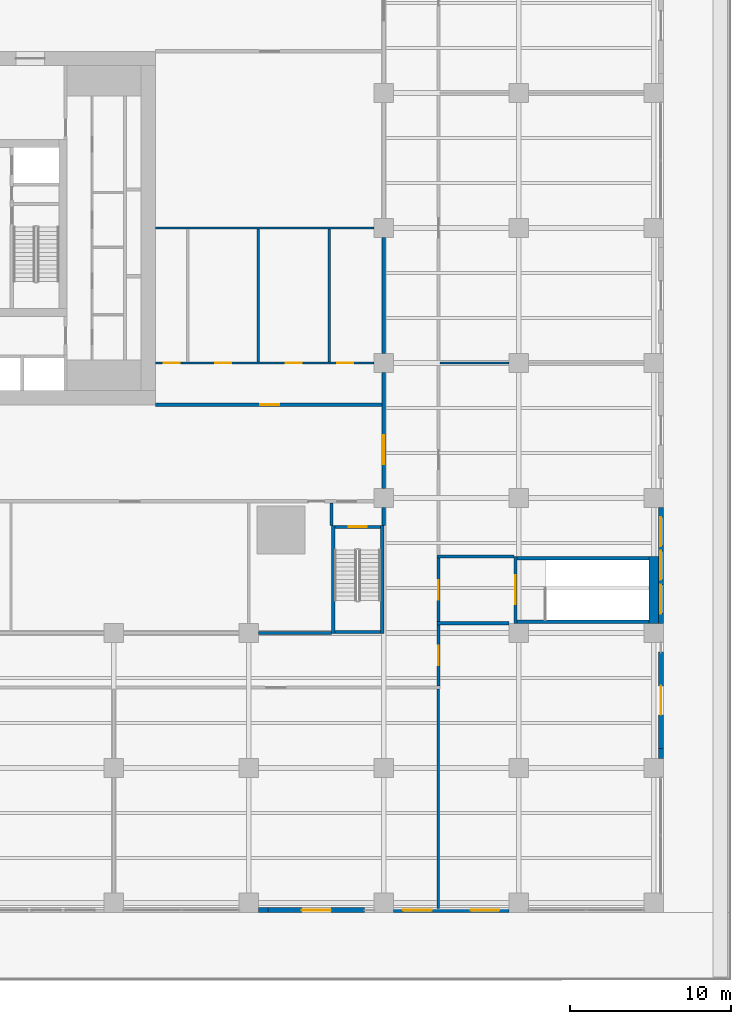
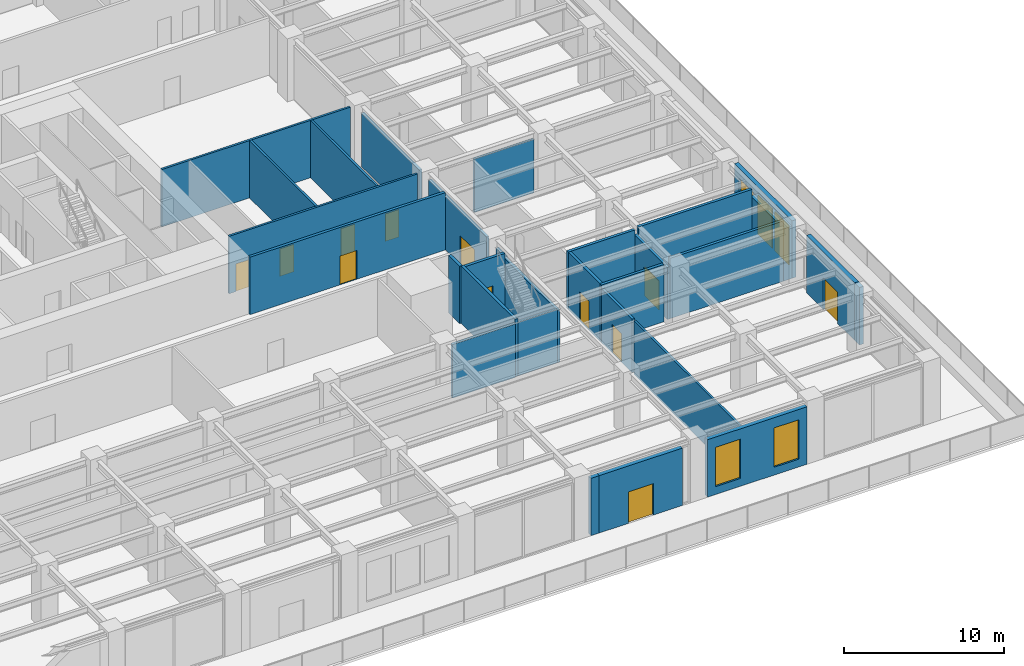
# One storey, part 41 of 53: 30 walls, 12 doors, 5 windows, 17 openings.
"""IFC4 building model written with IfcOpenShell, lengths in metres."""

from ifc_helpers import new_model, si_unit, direction, frame, frame_2d, origin, place, context, subcontext, project, spatial, rectangle, extrude, material, layer, layer_set, type_object, element, fill, save


model = new_model("IFC4")

# Units and contexts
model_context = context("Model", 3, precision=1e-05, world=origin(), true_north=direction((0.0, 1.0)))
body_context = subcontext(model_context, "Body", "Model", "MODEL_VIEW")
ifc_project = project(units=[si_unit("LENGTHUNIT", "METRE"), si_unit("AREAUNIT", "SQUARE_METRE"), si_unit("VOLUMEUNIT", "CUBIC_METRE"), si_unit("PLANEANGLEUNIT", "RADIAN"), si_unit("MASSUNIT", "GRAM", prefix="KILO")], contexts=[model_context])

# Site, building, storey
site_placement = place(None, origin())
site = spatial("IfcSite", under=ifc_project, at=site_placement, CompositionType="ELEMENT")
building_placement = place(site_placement, origin())
building = spatial("IfcBuilding", under=site, at=building_placement, Name="Khepri Terraces", CompositionType="ELEMENT")
storey_placement = place(building_placement, frame((0.0, 0.0, 7.199951171875)))
storey = spatial("IfcBuildingStorey", under=building, at=storey_placement, Name="L01", CompositionType="ELEMENT", Elevation=7.199951171875)

# Wall
ifc_material_1 = material(Name="Precast concrete C50/60 warm stone", Category="masonry")
ifc_layer_1 = layer(ifc_material_1, 0.300048828125, Name="Precast concrete C50/60 warm stone", Category="masonry")
ifc_layer_set_1 = layer_set([ifc_layer_1], Name="Precast concrete C50/60 warm stone")
wall_type_1 = type_object("IfcWallType", Name="WL-EXT-PRECAST-300", PredefinedType="STANDARD", material=ifc_layer_set_1)
wall_1_placement = place(storey_placement, frame((17.39990234375, -42.449951171875, 0.0), z_axis=(0.0, 0.0, 1.0), x_axis=(1.0, 0.0, 0.0)))
element("IfcWall", 1, at=wall_1_placement, inside=storey, type_object=wall_type_1, Name="External wall L01 S", PredefinedType="STANDARD", context=body_context, shape_type="SweptSolid", body=[
    extrude(rectangle(XDim=0.60009765625, YDim=0.300048828125, at=frame_2d((0.300048828125, 0.0))), origin(), (0.0, 0.0, 1.0), 4.380126953125),
])

# Wall, opening, door
wall_2_placement = place(storey_placement, frame((18.0, -42.449951171875, 0.0), z_axis=(0.0, 0.0, 1.0), x_axis=(1.0, 0.0, 0.0)))
wall_2 = element("IfcWall", 2, at=wall_2_placement, inside=storey, type_object=wall_type_1, Name="External wall L01 S", PredefinedType="STANDARD", context=body_context, shape_type="SweptSolid", body=[
    extrude(rectangle(XDim=6.0, YDim=0.300048828125, at=frame_2d((3.0, 0.0))), origin(), (0.0, 0.0, 1.0), 4.380126953125),
])
opening_1_placement = place(wall_2_placement, frame((2.10009765625, 0.0, 0.0)))
opening_1 = element("IfcOpeningElement", 3, at=opening_1_placement, cuts=wall_2, Name="Opening ED-L01-03", PredefinedType="OPENING", context=body_context, shape_type="SweptSolid", body=[
    extrude(rectangle(XDim=1.800048828125, YDim=2.39990234375, at=frame_2d((0.89990234375, 1.199951171875))), frame((0.0, 0.16015625, 0.0), z_axis=(0.0, -1.0, 0.0), x_axis=(1.0, 0.0, 0.0)), (0.0, 0.0, 1.0), 0.320068359375),
])
ifc_material_2 = material(Name="Anodised aluminium bronze glazed door", Category="aluminium")
door_type_1 = type_object("IfcDoorType", Name="DR-BAL-SLIDE-1800x2400", OperationType="NOTDEFINED", PredefinedType="DOOR", material=ifc_material_2)
door_1_placement = place(opening_1_placement, origin())
door_1 = element("IfcDoor", 4, at=door_1_placement, inside=storey, type_object=door_type_1, Name="Balcony door L01 S", OperationType="SLIDING_TO_LEFT", OverallHeight=2.39990234375, OverallWidth=1.800048828125, PredefinedType="DOOR", context=body_context, shape_type="SweptSolid", body=[
    extrude(rectangle(XDim=1.800048828125, YDim=2.39990234375, at=frame_2d((0.89990234375, 1.199951171875))), frame((0.0, 0.02490234375, 0.0), z_axis=(0.0, -1.0, 0.0), x_axis=(1.0, 0.0, 0.0)), (0.0, 0.0, 1.0), 0.050048828125),
])
fill(opening_1, door_1)

# Wall, openings, windows
wall_3_placement = place(storey_placement, frame((25.800048828125, -42.449951171875, 0.0), z_axis=(0.0, 0.0, 1.0), x_axis=(1.0, 0.0, 0.0)))
wall_3 = element("IfcWall", 5, at=wall_3_placement, inside=storey, type_object=wall_type_1, Name="External wall L01 S", PredefinedType="STANDARD", context=body_context, shape_type="SweptSolid", body=[
    extrude(rectangle(XDim=7.199951171875, YDim=0.300048828125, at=frame_2d((3.60009765625, 0.0))), origin(), (0.0, 0.0, 1.0), 4.380126953125),
])
opening_2_placement = place(wall_3_placement, frame((0.60009765625, 0.0, 0.60009765625)))
opening_2 = element("IfcOpeningElement", 6, at=opening_2_placement, cuts=wall_3, Name="Opening WP1", PredefinedType="OPENING", context=body_context, shape_type="SweptSolid", body=[
    extrude(rectangle(XDim=1.800048828125, YDim=3.0, at=frame_2d((0.89990234375, 1.5))), frame((0.0, 0.16015625, 0.0), z_axis=(0.0, -1.0, 0.0), x_axis=(1.0, 0.0, 0.0)), (0.0, 0.0, 1.0), 0.320068359375),
])
opening_3_placement = place(wall_3_placement, frame((4.800048828125, 0.0, 0.60009765625)))
opening_3 = element("IfcOpeningElement", 7, at=opening_3_placement, cuts=wall_3, Name="Opening WP1", PredefinedType="OPENING", context=body_context, shape_type="SweptSolid", body=[
    extrude(rectangle(XDim=1.800048828125, YDim=3.0, at=frame_2d((0.89990234375, 1.5))), frame((0.0, 0.16015625, 0.0), z_axis=(0.0, -1.0, 0.0), x_axis=(1.0, 0.0, 0.0)), (0.0, 0.0, 1.0), 0.320068359375),
])
ifc_material_3 = material(Name="Clear glass", Category="glass")
window_type = type_object("IfcWindowType", Name="WIN-POD-1800x3000", PartitioningType="SINGLE_PANEL", PredefinedType="WINDOW", material=ifc_material_3)
window_1_placement = place(opening_2_placement, origin())
window_1 = element("IfcWindow", 8, at=window_1_placement, inside=storey, type_object=window_type, Name="Window L01 S", OverallHeight=3.0, OverallWidth=1.800048828125, PartitioningType="SINGLE_PANEL", PredefinedType="WINDOW", context=body_context, shape_type="SweptSolid", body=[
    extrude(rectangle(XDim=1.800048828125, YDim=3.0, at=frame_2d((0.89990234375, 1.5))), frame((0.0, 0.030029296875, 0.0), z_axis=(0.0, -1.0, 0.0), x_axis=(1.0, 0.0, 0.0)), (0.0, 0.0, 1.0), 0.06005859375),
])
fill(opening_2, window_1)
window_2_placement = place(opening_3_placement, origin())
window_2 = element("IfcWindow", 9, at=window_2_placement, inside=storey, type_object=window_type, Name="Window L01 S", OverallHeight=3.0, OverallWidth=1.800048828125, PartitioningType="SINGLE_PANEL", PredefinedType="WINDOW", context=body_context, shape_type="SweptSolid", body=[
    extrude(rectangle(XDim=1.800048828125, YDim=3.0, at=frame_2d((0.89990234375, 1.5))), frame((0.0, 0.030029296875, 0.0), z_axis=(0.0, -1.0, 0.0), x_axis=(1.0, 0.0, 0.0)), (0.0, 0.0, 1.0), 0.06005859375),
])
fill(opening_3, window_2)

# Wall
wall_4_placement = place(storey_placement, frame((42.449951171875, -33.0, 0.0), z_axis=(0.0, 0.0, 1.0), x_axis=(0.0, 1.0, 0.0)))
element("IfcWall", 10, at=wall_4_placement, inside=storey, type_object=wall_type_1, Name="External wall L01 E", PredefinedType="STANDARD", context=body_context, shape_type="SweptSolid", body=[
    extrude(rectangle(XDim=0.60009765625, YDim=0.300048828125, at=frame_2d((0.300048828125, 0.0))), origin(), (0.0, 0.0, 1.0), 4.380126953125),
])

# Wall, opening, door
wall_5_placement = place(storey_placement, frame((42.449951171875, -32.39990234375, 0.0), z_axis=(0.0, 0.0, 1.0), x_axis=(0.0, 1.0, 0.0)))
wall_5 = element("IfcWall", 11, at=wall_5_placement, inside=storey, type_object=wall_type_1, Name="External wall L01 E", PredefinedType="STANDARD", context=body_context, shape_type="SweptSolid", body=[
    extrude(rectangle(XDim=6.0, YDim=0.300048828125, at=frame_2d((3.0, 0.0))), origin(), (0.0, 0.0, 1.0), 4.380126953125),
])
opening_4_placement = place(wall_5_placement, frame((2.10009765625, 0.0, 0.0)))
opening_4 = element("IfcOpeningElement", 12, at=opening_4_placement, cuts=wall_5, Name="Opening ED-L01-04", PredefinedType="OPENING", context=body_context, shape_type="SweptSolid", body=[
    extrude(rectangle(XDim=1.800048828125, YDim=2.39990234375, at=frame_2d((0.89990234375, 1.199951171875))), frame((0.0, 0.16015625, 0.0), z_axis=(0.0, -1.0, 0.0), x_axis=(1.0, 0.0, 0.0)), (0.0, 0.0, 1.0), 0.320068359375),
])
door_2_placement = place(opening_4_placement, origin())
door_2 = element("IfcDoor", 13, at=door_2_placement, inside=storey, type_object=door_type_1, Name="Balcony door L01 E", OperationType="SLIDING_TO_LEFT", OverallHeight=2.39990234375, OverallWidth=1.800048828125, PredefinedType="DOOR", context=body_context, shape_type="SweptSolid", body=[
    extrude(rectangle(XDim=1.800048828125, YDim=2.39990234375, at=frame_2d((0.89990234375, 1.199951171875))), frame((0.0, 0.02490234375, 0.0), z_axis=(0.0, -1.0, 0.0), x_axis=(1.0, 0.0, 0.0)), (0.0, 0.0, 1.0), 0.050048828125),
])
fill(opening_4, door_2)

# Wall, openings, windows
wall_6_placement = place(storey_placement, frame((42.449951171875, -24.60009765625, 0.0), z_axis=(0.0, 0.0, 1.0), x_axis=(0.0, 1.0, 0.0)))
wall_6 = element("IfcWall", 14, at=wall_6_placement, inside=storey, type_object=wall_type_1, Name="External wall L01 E", PredefinedType="STANDARD", context=body_context, shape_type="SweptSolid", body=[
    extrude(rectangle(XDim=7.2001953125, YDim=0.300048828125, at=frame_2d((3.60009765625, 0.0))), origin(), (0.0, 0.0, 1.0), 4.380126953125),
])
opening_5_placement = place(wall_6_placement, frame((0.60009765625, 0.0, 0.60009765625)))
opening_5 = element("IfcOpeningElement", 15, at=opening_5_placement, cuts=wall_6, Name="Opening WP1", PredefinedType="OPENING", context=body_context, shape_type="SweptSolid", body=[
    extrude(rectangle(XDim=1.800048828125, YDim=3.0, at=frame_2d((0.89990234375, 1.5))), frame((0.0, 0.16015625, 0.0), z_axis=(0.0, -1.0, 0.0), x_axis=(1.0, 0.0, 0.0)), (0.0, 0.0, 1.0), 0.320068359375),
])
opening_6_placement = place(wall_6_placement, frame((2.699951171875, 0.0, 0.60009765625)))
opening_6 = element("IfcOpeningElement", 16, at=opening_6_placement, cuts=wall_6, Name="Opening WP1", PredefinedType="OPENING", context=body_context, shape_type="SweptSolid", body=[
    extrude(rectangle(XDim=1.800048828125, YDim=3.0, at=frame_2d((0.89990234375, 1.5))), frame((0.0, 0.16015625, 0.0), z_axis=(0.0, -1.0, 0.0), x_axis=(1.0, 0.0, 0.0)), (0.0, 0.0, 1.0), 0.320068359375),
])
opening_7_placement = place(wall_6_placement, frame((4.800048828125, 0.0, 0.60009765625)))
opening_7 = element("IfcOpeningElement", 17, at=opening_7_placement, cuts=wall_6, Name="Opening WP1", PredefinedType="OPENING", context=body_context, shape_type="SweptSolid", body=[
    extrude(rectangle(XDim=1.800048828125, YDim=3.0, at=frame_2d((0.89990234375, 1.5))), frame((0.0, 0.16015625, 0.0), z_axis=(0.0, -1.0, 0.0), x_axis=(1.0, 0.0, 0.0)), (0.0, 0.0, 1.0), 0.320068359375),
])
window_3_placement = place(opening_5_placement, origin())
window_3 = element("IfcWindow", 18, at=window_3_placement, inside=storey, type_object=window_type, Name="Window L01 E", OverallHeight=3.0, OverallWidth=1.800048828125, PartitioningType="SINGLE_PANEL", PredefinedType="WINDOW", context=body_context, shape_type="SweptSolid", body=[
    extrude(rectangle(XDim=1.800048828125, YDim=3.0, at=frame_2d((0.89990234375, 1.5))), frame((0.0, 0.030029296875, 0.0), z_axis=(0.0, -1.0, 0.0), x_axis=(1.0, 0.0, 0.0)), (0.0, 0.0, 1.0), 0.06005859375),
])
fill(opening_5, window_3)
window_4_placement = place(opening_6_placement, origin())
window_4 = element("IfcWindow", 19, at=window_4_placement, inside=storey, type_object=window_type, Name="Window L01 E", OverallHeight=3.0, OverallWidth=1.800048828125, PartitioningType="SINGLE_PANEL", PredefinedType="WINDOW", context=body_context, shape_type="SweptSolid", body=[
    extrude(rectangle(XDim=1.800048828125, YDim=3.0, at=frame_2d((0.89990234375, 1.5))), frame((0.0, 0.030029296875, 0.0), z_axis=(0.0, -1.0, 0.0), x_axis=(1.0, 0.0, 0.0)), (0.0, 0.0, 1.0), 0.06005859375),
])
fill(opening_6, window_4)
window_5_placement = place(opening_7_placement, origin())
window_5 = element("IfcWindow", 20, at=window_5_placement, inside=storey, type_object=window_type, Name="Window L01 E", OverallHeight=3.0, OverallWidth=1.800048828125, PartitioningType="SINGLE_PANEL", PredefinedType="WINDOW", context=body_context, shape_type="SweptSolid", body=[
    extrude(rectangle(XDim=1.800048828125, YDim=3.0, at=frame_2d((0.89990234375, 1.5))), frame((0.0, 0.030029296875, 0.0), z_axis=(0.0, -1.0, 0.0), x_axis=(1.0, 0.0, 0.0)), (0.0, 0.0, 1.0), 0.06005859375),
])
fill(opening_7, window_5)

# Wall, openings, doors
ifc_material_4 = material(Name="Gypsum board partition")
ifc_layer_2 = layer(ifc_material_4, 0.14990234375, Name="Gypsum board partition")
ifc_layer_set_2 = layer_set([ifc_layer_2], Name="Gypsum board partition")
wall_type_2 = type_object("IfcWallType", Name="WL-POD-150", PredefinedType="PARTITIONING", material=ifc_layer_set_2)
wall_7_placement = place(storey_placement, frame((11.0, -8.39990234375, 0.0), z_axis=(0.0, 0.0, 1.0), x_axis=(1.0, 0.0, 0.0)))
wall_7 = element("IfcWall", 21, at=wall_7_placement, inside=storey, type_object=wall_type_2, Name="Partition L01-PW015", PredefinedType="PARTITIONING", context=body_context, shape_type="SweptSolid", body=[
    extrude(rectangle(XDim=13.60009765625, YDim=0.14990234375, at=frame_2d((6.800048828125, 0.0))), origin(), (0.0, 0.0, 1.0), 4.380126953125),
])
opening_8_placement = place(wall_7_placement, frame((0.5, 0.0, 0.0)))
opening_8 = element("IfcOpeningElement", 22, at=opening_8_placement, cuts=wall_7, Name="Opening L01-P20", PredefinedType="OPENING", context=body_context, shape_type="SweptSolid", body=[
    extrude(rectangle(XDim=1.0, YDim=2.10009765625, at=frame_2d((0.5, 1.050048828125))), frame((0.0, 0.0849609375, 0.0), z_axis=(0.0, -1.0, 0.0), x_axis=(1.0, 0.0, 0.0)), (0.0, 0.0, 1.0), 0.169921875),
])
opening_9_placement = place(wall_7_placement, frame((3.699951171875, 0.0, 0.0)))
opening_9 = element("IfcOpeningElement", 23, at=opening_9_placement, cuts=wall_7, Name="Opening L01-P21", PredefinedType="OPENING", context=body_context, shape_type="SweptSolid", body=[
    extrude(rectangle(XDim=1.0, YDim=2.10009765625, at=frame_2d((0.5, 1.050048828125))), frame((0.0, 0.0849609375, 0.0), z_axis=(0.0, -1.0, 0.0), x_axis=(1.0, 0.0, 0.0)), (0.0, 0.0, 1.0), 0.169921875),
])
opening_10_placement = place(wall_7_placement, frame((8.10009765625, 0.0, 0.0)))
opening_10 = element("IfcOpeningElement", 24, at=opening_10_placement, cuts=wall_7, Name="Opening L01-P22", PredefinedType="OPENING", context=body_context, shape_type="SweptSolid", body=[
    extrude(rectangle(XDim=1.0, YDim=2.10009765625, at=frame_2d((0.5, 1.050048828125))), frame((0.0, 0.0849609375, 0.0), z_axis=(0.0, -1.0, 0.0), x_axis=(1.0, 0.0, 0.0)), (0.0, 0.0, 1.0), 0.169921875),
])
opening_11_placement = place(wall_7_placement, frame((11.300048828125, 0.0, 0.0)))
opening_11 = element("IfcOpeningElement", 25, at=opening_11_placement, cuts=wall_7, Name="Opening L01-P23", PredefinedType="OPENING", context=body_context, shape_type="SweptSolid", body=[
    extrude(rectangle(XDim=1.0, YDim=2.10009765625, at=frame_2d((0.5, 1.050048828125))), frame((0.0, 0.0849609375, 0.0), z_axis=(0.0, -1.0, 0.0), x_axis=(1.0, 0.0, 0.0)), (0.0, 0.0, 1.0), 0.169921875),
])
ifc_material_5 = material(Name="Timber veneer", Category="wood")
door_type_2 = type_object("IfcDoorType", Name="DR-POD-SINGLE-1000", OperationType="NOTDEFINED", PredefinedType="DOOR", material=ifc_material_5)
door_3_placement = place(opening_8_placement, origin())
door_3 = element("IfcDoor", 26, at=door_3_placement, inside=storey, type_object=door_type_2, Name="Door L01-P20", OperationType="SINGLE_SWING_LEFT", OverallHeight=2.10009765625, OverallWidth=1.0, PredefinedType="DOOR", context=body_context, shape_type="SweptSolid", body=[
    extrude(rectangle(XDim=1.0, YDim=2.10009765625, at=frame_2d((0.5, 1.050048828125))), frame((0.0, 0.02490234375, 0.0), z_axis=(0.0, -1.0, 0.0), x_axis=(1.0, 0.0, 0.0)), (0.0, 0.0, 1.0), 0.050048828125),
])
fill(opening_8, door_3)
door_4_placement = place(opening_9_placement, origin())
door_4 = element("IfcDoor", 27, at=door_4_placement, inside=storey, type_object=door_type_2, Name="Door L01-P21", OperationType="SINGLE_SWING_LEFT", OverallHeight=2.10009765625, OverallWidth=1.0, PredefinedType="DOOR", context=body_context, shape_type="SweptSolid", body=[
    extrude(rectangle(XDim=1.0, YDim=2.10009765625, at=frame_2d((0.5, 1.050048828125))), frame((0.0, 0.02490234375, 0.0), z_axis=(0.0, -1.0, 0.0), x_axis=(1.0, 0.0, 0.0)), (0.0, 0.0, 1.0), 0.050048828125),
])
fill(opening_9, door_4)
door_5_placement = place(opening_10_placement, origin())
door_5 = element("IfcDoor", 28, at=door_5_placement, inside=storey, type_object=door_type_2, Name="Door L01-P22", OperationType="SINGLE_SWING_RIGHT", OverallHeight=2.10009765625, OverallWidth=1.0, PredefinedType="DOOR", context=body_context, shape_type="SweptSolid", body=[
    extrude(rectangle(XDim=1.0, YDim=2.10009765625, at=frame_2d((0.5, 1.050048828125))), frame((0.0, 0.02490234375, 0.0), z_axis=(0.0, -1.0, 0.0), x_axis=(1.0, 0.0, 0.0)), (0.0, 0.0, 1.0), 0.050048828125),
])
fill(opening_10, door_5)
door_6_placement = place(opening_11_placement, origin())
door_6 = element("IfcDoor", 29, at=door_6_placement, inside=storey, type_object=door_type_2, Name="Door L01-P23", OperationType="SINGLE_SWING_RIGHT", OverallHeight=2.10009765625, OverallWidth=1.0, PredefinedType="DOOR", context=body_context, shape_type="SweptSolid", body=[
    extrude(rectangle(XDim=1.0, YDim=2.10009765625, at=frame_2d((0.5, 1.050048828125))), frame((0.0, 0.02490234375, 0.0), z_axis=(0.0, -1.0, 0.0), x_axis=(1.0, 0.0, 0.0)), (0.0, 0.0, 1.0), 0.050048828125),
])
fill(opening_11, door_6)

# Walls
wall_8_placement = place(storey_placement, frame((28.699951171875, -8.39990234375, 0.0), z_axis=(0.0, 0.0, 1.0), x_axis=(1.0, 0.0, 0.0)))
element("IfcWall", 30, at=wall_8_placement, inside=storey, type_object=wall_type_2, Name="Partition L01-PW016", PredefinedType="PARTITIONING", context=body_context, shape_type="SweptSolid", body=[
    extrude(rectangle(XDim=4.300048828125, YDim=0.14990234375, at=frame_2d((2.14990234375, 0.0))), origin(), (0.0, 0.0, 1.0), 4.080078125),
])
wall_9_placement = place(storey_placement, frame((11.0, 0.0, 0.0), z_axis=(0.0, 0.0, 1.0), x_axis=(1.0, 0.0, 0.0)))
element("IfcWall", 31, at=wall_9_placement, inside=storey, type_object=wall_type_2, Name="Partition L01-PW022", PredefinedType="PARTITIONING", context=body_context, shape_type="SweptSolid", body=[
    extrude(rectangle(XDim=13.60009765625, YDim=0.14990234375, at=frame_2d((6.800048828125, 0.0))), origin(), (0.0, 0.0, 1.0), 4.380126953125),
])
for number, where, z_axis, x_axis, name in (
    (32, (17.39990234375, -8.324951171875, 0.0), (0.0, 0.0, 1.0), (0.0, 1.0, 0.0), "Partition L01-PW069"),
    (33, (21.800048828125, -8.324951171875, 0.0), (0.0, 0.0, 1.0), (0.0, 1.0, 0.0), "Partition L01-PW070"),
):
    element("IfcWall", number, at=place(storey_placement, frame(where, z_axis=z_axis, x_axis=x_axis)), inside=storey, type_object=wall_type_2, Name=name, PredefinedType="PARTITIONING", context=body_context, shape_type="SweptSolid", body=[
        extrude(rectangle(XDim=8.25, YDim=0.14990234375, at=frame_2d((4.125, 0.0))), origin(), (0.0, 0.0, 1.0), 4.380126953125),
    ])
wall_10_placement = place(storey_placement, frame((28.60009765625, -42.35009765625, 0.0), z_axis=(0.0, 0.0, 1.0), x_axis=(0.0, 1.0, 0.0)))
element("IfcWall", 34, at=wall_10_placement, inside=storey, type_object=wall_type_2, Name="Partition L01-PW079", PredefinedType="PARTITIONING", context=body_context, shape_type="SweptSolid", body=[
    extrude(rectangle(XDim=13.650146484375, YDim=0.14990234375, at=frame_2d((6.8251953125, 0.0))), origin(), (0.0, 0.0, 1.0), 4.080078125),
])
ifc_material_6 = material(Name="Fire-rated block wall")
ifc_layer_3 = layer(ifc_material_6, 0.199951171875, Name="Fire-rated block wall")
ifc_layer_set_3 = layer_set([ifc_layer_3], Name="Fire-rated block wall")
wall_type_3 = type_object("IfcWallType", Name="WL-POD-200-EI120", PredefinedType="PARTITIONING", material=ifc_layer_set_3)
wall_11_placement = place(storey_placement, frame((28.5, -24.60009765625, 0.0), z_axis=(0.0, 0.0, 1.0), x_axis=(1.0, 0.0, 0.0)))
element("IfcWall", 35, at=wall_11_placement, inside=storey, type_object=wall_type_3, Name="Partition L01-PW009", PredefinedType="PARTITIONING", context=body_context, shape_type="SweptSolid", body=[
    extrude(rectangle(XDim=4.5, YDim=0.199951171875, at=frame_2d((2.25, 0.0))), origin(), (0.0, 0.0, 1.0), 4.380126953125),
])
wall_12_placement = place(storey_placement, frame((28.5, -20.449951171875, 0.0), z_axis=(0.0, 0.0, 1.0), x_axis=(1.0, 0.0, 0.0)))
element("IfcWall", 36, at=wall_12_placement, inside=storey, type_object=wall_type_3, Name="Partition L01-PW011", PredefinedType="PARTITIONING", context=body_context, shape_type="SweptSolid", body=[
    extrude(rectangle(XDim=4.800048828125, YDim=0.199951171875, at=frame_2d((2.39990234375, 0.0))), origin(), (0.0, 0.0, 1.0), 4.380126953125),
])

# Wall, opening, door
wall_13_placement = place(storey_placement, frame((28.60009765625, -24.5, 0.0), z_axis=(0.0, 0.0, 1.0), x_axis=(0.0, 1.0, 0.0)))
wall_13 = element("IfcWall", 37, at=wall_13_placement, inside=storey, type_object=wall_type_3, Name="Partition L01-PW081", PredefinedType="PARTITIONING", context=body_context, shape_type="SweptSolid", body=[
    extrude(rectangle(XDim=3.949951171875, YDim=0.199951171875, at=frame_2d((1.97509765625, 0.0))), origin(), (0.0, 0.0, 1.0), 4.380126953125),
])
opening_12_placement = place(wall_13_placement, frame((1.375, 0.0, 0.0)))
opening_12 = element("IfcOpeningElement", 38, at=opening_12_placement, cuts=wall_13, Name="Opening L01-P07", PredefinedType="OPENING", context=body_context, shape_type="SweptSolid", body=[
    extrude(rectangle(XDim=1.199951171875, YDim=2.199951171875, at=frame_2d((0.60009765625, 1.10009765625))), frame((0.0, 0.10986328125, 0.0), z_axis=(0.0, -1.0, 0.0), x_axis=(1.0, 0.0, 0.0)), (0.0, 0.0, 1.0), 0.219970703125),
])
ifc_material_7 = material(Name="Painted steel", Category="steel")
door_type_3 = type_object("IfcDoorType", Name="DR-POD-FIRE-1200", OperationType="NOTDEFINED", PredefinedType="DOOR", material=ifc_material_7)
door_7_placement = place(opening_12_placement, origin())
door_7 = element("IfcDoor", 39, at=door_7_placement, inside=storey, type_object=door_type_3, Name="Fire door L01-P07", OperationType="SINGLE_SWING_LEFT", OverallHeight=2.199951171875, OverallWidth=1.199951171875, PredefinedType="DOOR", context=body_context, shape_type="SweptSolid", body=[
    extrude(rectangle(XDim=1.199951171875, YDim=2.199951171875, at=frame_2d((0.60009765625, 1.10009765625))), frame((0.0, 0.02490234375, 0.0), z_axis=(0.0, -1.0, 0.0), x_axis=(1.0, 0.0, 0.0)), (0.0, 0.0, 1.0), 0.050048828125),
])
fill(opening_12, door_7)

# Wall
ifc_layer_4 = layer(ifc_material_6, 0.199951171875, Name="Fire-rated block wall")
ifc_layer_set_4 = layer_set([ifc_layer_4], Name="Fire-rated block wall")
wall_type_4 = type_object("IfcWallType", Name="WL-POD-200-EI60", PredefinedType="PARTITIONING", material=ifc_layer_set_4)
wall_14_placement = place(storey_placement, frame((17.39990234375, -25.199951171875, 0.0), z_axis=(0.0, 0.0, 1.0), x_axis=(1.0, 0.0, 0.0)))
element("IfcWall", 40, at=wall_14_placement, inside=storey, type_object=wall_type_4, Name="Partition L01-PW007", PredefinedType="PARTITIONING", context=body_context, shape_type="SweptSolid", body=[
    extrude(rectangle(XDim=4.550048828125, YDim=0.199951171875, at=frame_2d((2.27490234375, 0.0))), origin(), (0.0, 0.0, 1.0), 4.080078125),
])

# Wall, opening, door
wall_15_placement = place(storey_placement, frame((11.0, -11.0, 0.0), z_axis=(0.0, 0.0, 1.0), x_axis=(1.0, 0.0, 0.0)))
wall_15 = element("IfcWall", 41, at=wall_15_placement, inside=storey, type_object=wall_type_4, Name="Partition L01-PW014", PredefinedType="PARTITIONING", context=body_context, shape_type="SweptSolid", body=[
    extrude(rectangle(XDim=14.10009765625, YDim=0.199951171875, at=frame_2d((7.050048828125, 0.0))), origin(), (0.0, 0.0, 1.0), 4.380126953125),
])
opening_13_placement = place(wall_15_placement, frame((6.5, 0.0, 0.0)))
opening_13 = element("IfcOpeningElement", 42, at=opening_13_placement, cuts=wall_15, Name="Opening L01-P18", PredefinedType="OPENING", context=body_context, shape_type="SweptSolid", body=[
    extrude(rectangle(XDim=1.199951171875, YDim=2.199951171875, at=frame_2d((0.60009765625, 1.10009765625))), frame((0.0, 0.10986328125, 0.0), z_axis=(0.0, -1.0, 0.0), x_axis=(1.0, 0.0, 0.0)), (0.0, 0.0, 1.0), 0.219970703125),
])
door_type_4 = type_object("IfcDoorType", Name="DR-POD-SINGLE-1200", OperationType="NOTDEFINED", PredefinedType="DOOR", material=ifc_material_5)
door_8_placement = place(opening_13_placement, origin())
door_8 = element("IfcDoor", 43, at=door_8_placement, inside=storey, type_object=door_type_4, Name="Door L01-P18", OperationType="SINGLE_SWING_RIGHT", OverallHeight=2.199951171875, OverallWidth=1.199951171875, PredefinedType="DOOR", context=body_context, shape_type="SweptSolid", body=[
    extrude(rectangle(XDim=1.199951171875, YDim=2.199951171875, at=frame_2d((0.60009765625, 1.10009765625))), frame((0.0, 0.02490234375, 0.0), z_axis=(0.0, -1.0, 0.0), x_axis=(1.0, 0.0, 0.0)), (0.0, 0.0, 1.0), 0.050048828125),
])
fill(opening_13, door_8)

# Walls
wall_16_placement = place(storey_placement, frame((21.949951171875, -18.5, 0.0), z_axis=(0.0, 0.0, 1.0), x_axis=(0.0, 1.0, 0.0)))
element("IfcWall", 44, at=wall_16_placement, inside=storey, type_object=wall_type_4, Name="Partition L01-PW071", PredefinedType="PARTITIONING", context=body_context, shape_type="SweptSolid", body=[
    extrude(rectangle(XDim=1.39990234375, YDim=0.199951171875, at=frame_2d((0.699951171875, 0.0))), origin(), (0.0, 0.0, 1.0), 4.380126953125),
])
wall_17_placement = place(storey_placement, frame((25.199951171875, -18.5, 0.0), z_axis=(0.0, 0.0, 1.0), x_axis=(0.0, 1.0, 0.0)))
element("IfcWall", 45, at=wall_17_placement, inside=storey, type_object=wall_type_4, Name="Partition L01-PW073", PredefinedType="PARTITIONING", context=body_context, shape_type="SweptSolid", body=[
    extrude(rectangle(XDim=1.10009765625, YDim=0.199951171875, at=frame_2d((0.550048828125, 0.0))), origin(), (0.0, 0.0, 1.0), 3.97998046875),
])

# Wall, opening, door
wall_18_placement = place(storey_placement, frame((25.199951171875, -16.199951171875, 0.0), z_axis=(0.0, 0.0, 1.0), x_axis=(0.0, 1.0, 0.0)))
wall_18 = element("IfcWall", 46, at=wall_18_placement, inside=storey, type_object=wall_type_4, Name="Partition L01-PW074", PredefinedType="PARTITIONING", context=body_context, shape_type="SweptSolid", body=[
    extrude(rectangle(XDim=7.199951171875, YDim=0.199951171875, at=frame_2d((3.60009765625, 0.0))), origin(), (0.0, 0.0, 1.0), 4.080078125),
])
opening_14_placement = place(wall_18_placement, frame((1.5, 0.0, 0.0)))
opening_14 = element("IfcOpeningElement", 47, at=opening_14_placement, cuts=wall_18, Name="Opening L01-P16", PredefinedType="OPENING", context=body_context, shape_type="SweptSolid", body=[
    extrude(rectangle(XDim=1.800048828125, YDim=2.199951171875, at=frame_2d((0.89990234375, 1.10009765625))), frame((0.0, 0.10986328125, 0.0), z_axis=(0.0, -1.0, 0.0), x_axis=(1.0, 0.0, 0.0)), (0.0, 0.0, 1.0), 0.219970703125),
])
door_type_5 = type_object("IfcDoorType", Name="DR-POD-FIRE-PAIR-1800", OperationType="DOUBLE_DOOR_SINGLE_SWING", PredefinedType="DOOR", material=ifc_material_7)
door_9_placement = place(opening_14_placement, origin())
door_9 = element("IfcDoor", 48, at=door_9_placement, inside=storey, type_object=door_type_5, Name="Fire door pair L01-P16", OperationType="DOUBLE_DOOR_SINGLE_SWING", OverallHeight=2.199951171875, OverallWidth=1.800048828125, PredefinedType="DOOR", context=body_context, shape_type="SweptSolid", body=[
    extrude(rectangle(XDim=1.800048828125, YDim=2.199951171875, at=frame_2d((0.89990234375, 1.10009765625))), frame((0.0, 0.02490234375, 0.0), z_axis=(0.0, -1.0, 0.0), x_axis=(1.0, 0.0, 0.0)), (0.0, 0.0, 1.0), 0.050048828125),
])
fill(opening_14, door_9)

# Wall
wall_19_placement = place(storey_placement, frame((25.199951171875, -7.800048828125, 0.0), z_axis=(0.0, 0.0, 1.0), x_axis=(0.0, 1.0, 0.0)))
element("IfcWall", 49, at=wall_19_placement, inside=storey, type_object=wall_type_4, Name="Partition L01-PW075", PredefinedType="PARTITIONING", context=body_context, shape_type="SweptSolid", body=[
    extrude(rectangle(XDim=7.199951171875, YDim=0.199951171875, at=frame_2d((3.60009765625, 0.0))), origin(), (0.0, 0.0, 1.0), 4.080078125),
])

# Wall, opening, door
wall_20_placement = place(storey_placement, frame((28.60009765625, -28.5, 0.0), z_axis=(0.0, 0.0, 1.0), x_axis=(0.0, 1.0, 0.0)))
wall_20 = element("IfcWall", 50, at=wall_20_placement, inside=storey, type_object=wall_type_4, Name="Partition L01-PW080", PredefinedType="PARTITIONING", context=body_context, shape_type="SweptSolid", body=[
    extrude(rectangle(XDim=3.800048828125, YDim=0.199951171875, at=frame_2d((1.89990234375, 0.0))), origin(), (0.0, 0.0, 1.0), 4.080078125),
])
opening_15_placement = place(wall_20_placement, frame((1.300048828125, 0.0, 0.0)))
opening_15 = element("IfcOpeningElement", 51, at=opening_15_placement, cuts=wall_20, Name="Opening L01-P05", PredefinedType="OPENING", context=body_context, shape_type="SweptSolid", body=[
    extrude(rectangle(XDim=1.199951171875, YDim=2.199951171875, at=frame_2d((0.60009765625, 1.10009765625))), frame((0.0, 0.10986328125, 0.0), z_axis=(0.0, -1.0, 0.0), x_axis=(1.0, 0.0, 0.0)), (0.0, 0.0, 1.0), 0.219970703125),
])
door_10_placement = place(opening_15_placement, origin())
door_10 = element("IfcDoor", 52, at=door_10_placement, inside=storey, type_object=door_type_4, Name="Door L01-P05", OperationType="SINGLE_SWING_RIGHT", OverallHeight=2.199951171875, OverallWidth=1.199951171875, PredefinedType="DOOR", context=body_context, shape_type="SweptSolid", body=[
    extrude(rectangle(XDim=1.199951171875, YDim=2.199951171875, at=frame_2d((0.60009765625, 1.10009765625))), frame((0.0, 0.02490234375, 0.0), z_axis=(0.0, -1.0, 0.0), x_axis=(1.0, 0.0, 0.0)), (0.0, 0.0, 1.0), 0.050048828125),
])
fill(opening_15, door_10)

# Walls
ifc_material_8 = material(Name="Concrete C40/50", Category="concrete")
ifc_layer_5 = layer(ifc_material_8, 0.199951171875, Name="Concrete C40/50", Category="concrete")
ifc_layer_set_5 = layer_set([ifc_layer_5], Name="Concrete C40/50")
wall_type_5 = type_object("IfcWallType", Name="WL-POD-STAIR-200", PredefinedType="SOLIDWALL", material=ifc_layer_set_5)
wall_21_placement = place(storey_placement, frame((22.050048828125, -25.239990234375, 0.0), z_axis=(0.0, 0.0, 1.0), x_axis=(0.0, 1.0, 0.0)))
element("IfcWall", 53, at=wall_21_placement, inside=storey, type_object=wall_type_5, Name="Stair enclosure PS-3 L01-W", PredefinedType="SOLIDWALL", context=body_context, shape_type="SweptSolid", body=[
    extrude(rectangle(XDim=6.739990234375, YDim=0.199951171875, at=frame_2d((3.3701171875, 0.0))), origin(), (0.0, 0.0, 1.0), 4.380126953125),
])
wall_22_placement = place(storey_placement, frame((25.10009765625, -25.239990234375, 0.0), z_axis=(0.0, 0.0, 1.0), x_axis=(0.0, 1.0, 0.0)))
element("IfcWall", 54, at=wall_22_placement, inside=storey, type_object=wall_type_5, Name="Stair enclosure PS-3 L01-E", PredefinedType="SOLIDWALL", context=body_context, shape_type="SweptSolid", body=[
    extrude(rectangle(XDim=6.739990234375, YDim=0.199951171875, at=frame_2d((3.3701171875, 0.0))), origin(), (0.0, 0.0, 1.0), 3.97998046875),
])
wall_23_placement = place(storey_placement, frame((22.14990234375, -25.139892578125, 0.0), z_axis=(0.0, 0.0, 1.0), x_axis=(1.0, 0.0, 0.0)))
element("IfcWall", 55, at=wall_23_placement, inside=storey, type_object=wall_type_5, Name="Stair enclosure PS-3 L01-S", PredefinedType="SOLIDWALL", context=body_context, shape_type="SweptSolid", body=[
    extrude(rectangle(XDim=2.85009765625, YDim=0.199951171875, at=frame_2d((1.425048828125, 0.0))), origin(), (0.0, 0.0, 1.0), 4.080078125),
])

# Wall, opening, door
wall_24_placement = place(storey_placement, frame((22.14990234375, -18.60009765625, 0.0), z_axis=(0.0, 0.0, 1.0), x_axis=(1.0, 0.0, 0.0)))
wall_24 = element("IfcWall", 56, at=wall_24_placement, inside=storey, type_object=wall_type_5, Name="Stair enclosure PS-3 L01-N", PredefinedType="SOLIDWALL", context=body_context, shape_type="SweptSolid", body=[
    extrude(rectangle(XDim=2.85009765625, YDim=0.199951171875, at=frame_2d((1.425048828125, 0.0))), origin(), (0.0, 0.0, 1.0), 4.380126953125),
])
opening_16_placement = place(wall_24_placement, frame((0.875, 0.0, 0.0)))
opening_16 = element("IfcOpeningElement", 57, at=opening_16_placement, cuts=wall_24, Name="Opening L01-PS-3D", PredefinedType="OPENING", context=body_context, shape_type="SweptSolid", body=[
    extrude(rectangle(XDim=1.10009765625, YDim=2.199951171875, at=frame_2d((0.550048828125, 1.10009765625))), frame((0.0, 0.10986328125, 0.0), z_axis=(0.0, -1.0, 0.0), x_axis=(1.0, 0.0, 0.0)), (0.0, 0.0, 1.0), 0.219970703125),
])
door_type_6 = type_object("IfcDoorType", Name="DR-POD-STAIR-1100", OperationType="NOTDEFINED", PredefinedType="DOOR", material=ifc_material_7)
door_11_placement = place(opening_16_placement, origin())
door_11 = element("IfcDoor", 58, at=door_11_placement, inside=storey, type_object=door_type_6, Name="Stair door L01-PS-3D", OperationType="SINGLE_SWING_LEFT", OverallHeight=2.199951171875, OverallWidth=1.10009765625, PredefinedType="DOOR", context=body_context, shape_type="SweptSolid", body=[
    extrude(rectangle(XDim=1.10009765625, YDim=2.199951171875, at=frame_2d((0.550048828125, 1.10009765625))), frame((0.0, 0.02490234375, 0.0), z_axis=(0.0, -1.0, 0.0), x_axis=(1.0, 0.0, 0.0)), (0.0, 0.0, 1.0), 0.050048828125),
])
fill(opening_16, door_11)

wall_25_placement = place(storey_placement, frame((33.39990234375, -24.60009765625, 0.0), z_axis=(0.0, 0.0, 1.0), x_axis=(0.0, 1.0, 0.0)))
wall_25 = element("IfcWall", 59, at=wall_25_placement, inside=storey, type_object=wall_type_5, Name="Stair enclosure PS-8 L01-W", PredefinedType="SOLIDWALL", context=body_context, shape_type="SweptSolid", body=[
    extrude(rectangle(XDim=4.150146484375, YDim=0.199951171875, at=frame_2d((2.0751953125, 0.0))), origin(), (0.0, 0.0, 1.0), 3.97998046875),
])
opening_17_placement = place(wall_25_placement, frame((1.175048828125, 0.0, 0.0)))
opening_17 = element("IfcOpeningElement", 60, at=opening_17_placement, cuts=wall_25, Name="Opening L01-PS-8D", PredefinedType="OPENING", context=body_context, shape_type="SweptSolid", body=[
    extrude(rectangle(XDim=1.800048828125, YDim=2.199951171875, at=frame_2d((0.89990234375, 1.10009765625))), frame((0.0, 0.10986328125, 0.0), z_axis=(0.0, -1.0, 0.0), x_axis=(1.0, 0.0, 0.0)), (0.0, 0.0, 1.0), 0.219970703125),
])
door_type_7 = type_object("IfcDoorType", Name="DR-POD-STAIR-PAIR-1800", OperationType="DOUBLE_DOOR_SINGLE_SWING", PredefinedType="DOOR", material=ifc_material_7)
door_12_placement = place(opening_17_placement, origin())
door_12 = element("IfcDoor", 61, at=door_12_placement, inside=storey, type_object=door_type_7, Name="Stair door L01-PS-8D", OperationType="DOUBLE_DOOR_SINGLE_SWING", OverallHeight=2.199951171875, OverallWidth=1.800048828125, PredefinedType="DOOR", context=body_context, shape_type="SweptSolid", body=[
    extrude(rectangle(XDim=1.800048828125, YDim=2.199951171875, at=frame_2d((0.89990234375, 1.10009765625))), frame((0.0, 0.02490234375, 0.0), z_axis=(0.0, -1.0, 0.0), x_axis=(1.0, 0.0, 0.0)), (0.0, 0.0, 1.0), 0.050048828125),
])
fill(opening_17, door_12)

# Walls
for number, where, z_axis, x_axis, name in (
    (62, (33.5, -24.5, 0.0), (0.0, 0.0, 1.0), (1.0, 0.0, 0.0), "Stair enclosure PS-8 L01-S"),
    (63, (33.5, -20.550048828125, 0.0), (0.0, 0.0, 1.0), (1.0, 0.0, 0.0), "Stair enclosure PS-8 L01-N"),
):
    element("IfcWall", number, at=place(storey_placement, frame(where, z_axis=z_axis, x_axis=x_axis)), inside=storey, type_object=wall_type_5, Name=name, PredefinedType="SOLIDWALL", context=body_context, shape_type="SweptSolid", body=[
        extrude(rectangle(XDim=8.199951171875, YDim=0.199951171875, at=frame_2d((4.10009765625, 0.0))), origin(), (0.0, 0.0, 1.0), 4.60009765625),
    ])
ifc_layer_6 = layer(ifc_material_8, 0.60009765625, Name="Concrete C40/50", Category="concrete")
ifc_layer_set_6 = layer_set([ifc_layer_6], Name="Concrete C40/50")
wall_type_6 = type_object("IfcWallType", Name="WL-POD-STAIR-600", PredefinedType="SOLIDWALL", material=ifc_layer_set_6)
wall_26_placement = place(storey_placement, frame((42.0, -24.60009765625, 0.0), z_axis=(0.0, 0.0, 1.0), x_axis=(0.0, 1.0, 0.0)))
element("IfcWall", 64, at=wall_26_placement, inside=storey, type_object=wall_type_6, Name="Stair enclosure PS-8 L01-E", PredefinedType="SOLIDWALL", context=body_context, shape_type="SweptSolid", body=[
    extrude(rectangle(XDim=4.150146484375, YDim=0.60009765625, at=frame_2d((2.0751953125, 0.0))), origin(), (0.0, 0.0, 1.0), 3.97998046875),
])

save(model, "model.ifc")
